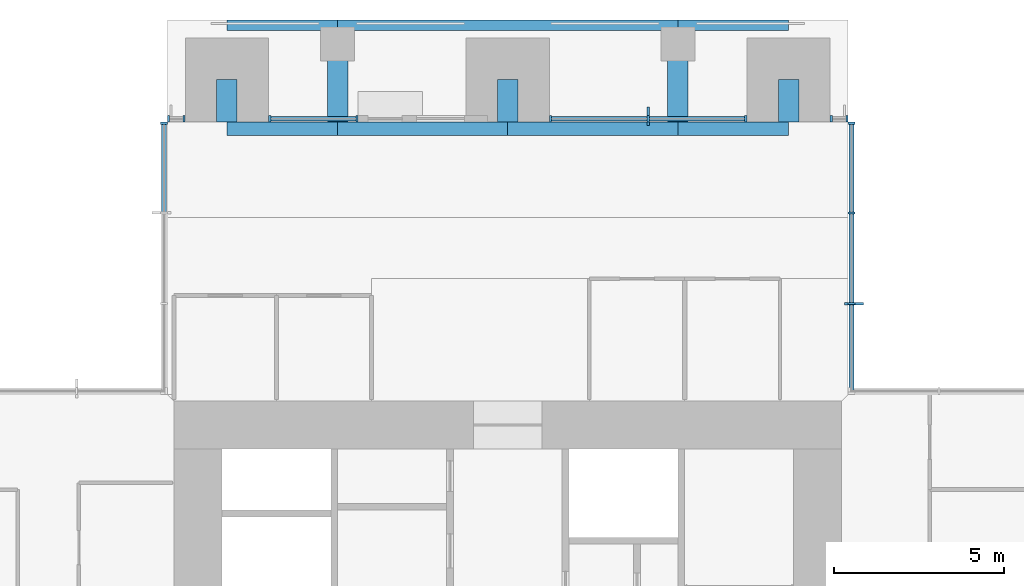
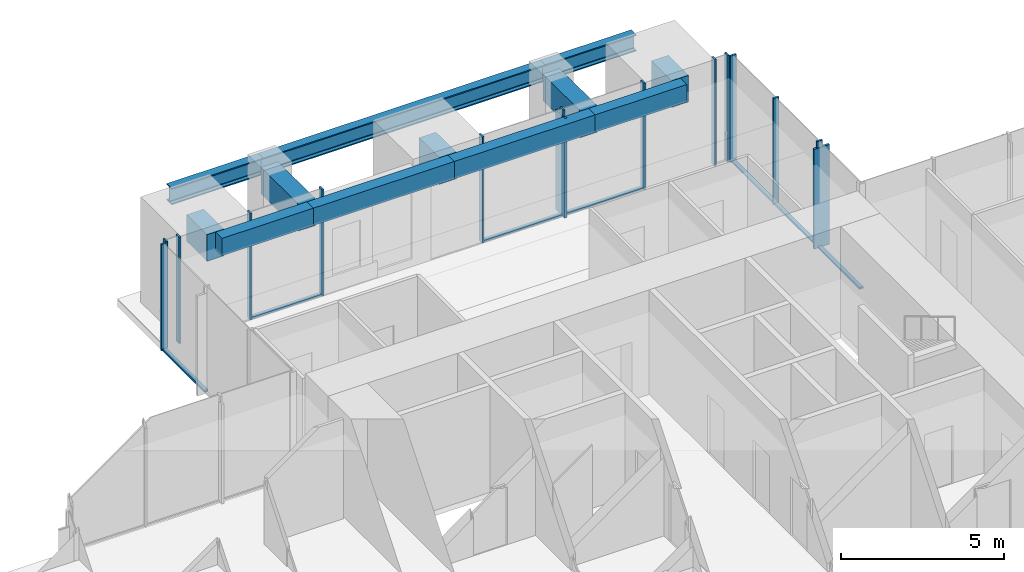
# One storey, part 5 of 17: 22 members, 12 beams, 6 elements without a shape of their own.
"""IFC4 building model written with IfcOpenShell, lengths in metres."""

from ifc_helpers import new_model, si_unit, direction, frame, origin, origin_2d, place, context, subcontext, project, spatial, rectangle, i_section, extrude, material, material_profile, profile_set, type_object, element, aggregate, save


model = new_model("IFC4")

# Units and contexts
model_context = context("Model", 3, precision=1e-05, world=origin(), true_north=direction((0.0, 1.0)))
body_context = subcontext(model_context, "Body", "Model", "MODEL_VIEW")
ifc_project = project(units=[si_unit("LENGTHUNIT", "METRE"), si_unit("AREAUNIT", "SQUARE_METRE"), si_unit("VOLUMEUNIT", "CUBIC_METRE"), si_unit("PLANEANGLEUNIT", "RADIAN"), si_unit("MASSUNIT", "GRAM", prefix="KILO")], contexts=[model_context])

# Site, building, storey
site_placement = place(None, origin())
site = spatial("IfcSite", under=ifc_project, at=site_placement, CompositionType="ELEMENT")
building_placement = place(site_placement, origin())
building = spatial("IfcBuilding", under=site, at=building_placement, Name="Svetlomir Tower", CompositionType="ELEMENT")
storey_placement = place(building_placement, frame((0.0, 0.0, 198.5)))
storey = spatial("IfcBuildingStorey", under=building, at=storey_placement, Name="L47", CompositionType="ELEMENT", Elevation=198.5)

# Curtain wall, member
ifc_material_1 = material(Name="Bronze anodised aluminium curtain wall", Category="aluminium")
curtain_wall_type = type_object("IfcCurtainWallType", Name="CURTAIN WALL CW1 TOWER OFFICE", PredefinedType="NOTDEFINED", material=ifc_material_1)
curtain_wall_1_placement = place(storey_placement, origin())
curtain_wall_1 = element("IfcCurtainWall", 1, at=curtain_wall_1_placement, inside=storey, type_object=curtain_wall_type, Name="Curtain wall CW1 L47", PredefinedType="NOTDEFINED")
ifc_material_2 = material(Name="Bronze anodised aluminium", Category="aluminium")
ifc_material_profile_1 = material_profile(ifc_material_2, rectangle(XDim=0.080078125, YDim=0.550048828125, at=origin_2d()), Name="FIN 80x550")
ifc_profile_set_1 = profile_set([ifc_material_profile_1], Name="Bronze anodised aluminium 6063-T6")
member_type_1 = type_object("IfcMemberType", Name="BRONZE FIN 80x550", PredefinedType="USERDEFINED", material=ifc_profile_set_1)
member_1_placement = place(storey_placement, frame((31.175048828125, 33.666748046875, 0.0), z_axis=(0.0, 0.0, 1.0), x_axis=(0.0, 1.0, 0.0)))
member_1 = element("IfcMember", 2, at=member_1_placement, type_object=member_type_1, Name="Bronze fin L47", ObjectType="FIN", PredefinedType="USERDEFINED", context=body_context, shape_type="SweptSolid", body=[
    extrude(rectangle(XDim=0.080078125, YDim=0.550048828125, at=origin_2d()), origin(), (0.0, 0.0, 1.0), 3.75),
])

curtain_wall_2_placement = place(storey_placement, origin())
curtain_wall_2 = element("IfcCurtainWall", 3, at=curtain_wall_2_placement, inside=storey, type_object=curtain_wall_type, Name="Curtain wall CW1 L47", PredefinedType="NOTDEFINED")
member_2_placement = place(storey_placement, frame((25.125, 39.175048828125, 0.0), z_axis=(0.0, 0.0, 1.0), x_axis=(1.0, 0.0, 0.0)))
member_2 = element("IfcMember", 4, at=member_2_placement, type_object=member_type_1, Name="Bronze fin L47", ObjectType="FIN", PredefinedType="USERDEFINED", context=body_context, shape_type="SweptSolid", body=[
    extrude(rectangle(XDim=0.080078125, YDim=0.550048828125, at=origin_2d()), origin(), (0.0, 0.0, 1.0), 3.75),
])

# Member
ifc_material_3 = material(Name="Bronze anodised aluminium", Category="aluminium")
ifc_material_profile_2 = material_profile(ifc_material_3, rectangle(XDim=0.06494140625, YDim=0.199951171875, at=origin_2d()), Name="AL 65x200")
ifc_profile_set_2 = profile_set([ifc_material_profile_2], Name="Bronze anodised aluminium 6063-T6")
member_type_2 = type_object("IfcMemberType", Name="CW1 MULLION 65x200", PredefinedType="MULLION", material=ifc_profile_set_2)
member_3_placement = place(storey_placement, frame((31.10009765625, 33.666748046875, 0.0), z_axis=(0.0, 0.0, 1.0), x_axis=(0.0, 1.0, 0.0)))
member_3 = element("IfcMember", 5, at=member_3_placement, type_object=member_type_2, Name="CW1 mullion 2", PredefinedType="MULLION", context=body_context, shape_type="SweptSolid", body=[
    extrude(rectangle(XDim=0.06494140625, YDim=0.199951171875, at=origin_2d()), origin(), (0.0, 0.0, 1.0), 4.0),
])

member_4_placement = place(storey_placement, frame((31.10009765625, 36.333251953125, 0.0), z_axis=(0.0, 0.0, 1.0), x_axis=(0.0, 1.0, 0.0)))
member_4 = element("IfcMember", 6, at=member_4_placement, type_object=member_type_2, Name="CW1 mullion 3", PredefinedType="MULLION", context=body_context, shape_type="SweptSolid", body=[
    extrude(rectangle(XDim=0.06494140625, YDim=0.199951171875, at=origin_2d()), origin(), (0.0, 0.0, 1.0), 4.0),
])

member_5_placement = place(storey_placement, frame((31.10009765625, 38.967529296875, 0.0), z_axis=(0.0, 0.0, 1.0), x_axis=(0.0, 1.0, 0.0)))
member_5 = element("IfcMember", 7, at=member_5_placement, type_object=member_type_2, Name="CW1 mullion 4", PredefinedType="MULLION", context=body_context, shape_type="SweptSolid", body=[
    extrude(rectangle(XDim=0.06494140625, YDim=0.199951171875, at=origin_2d()), origin(), (0.0, 0.0, 1.0), 4.0),
])

# Curtain wall, members
curtain_wall_3_placement = place(storey_placement, origin())
curtain_wall_3 = element("IfcCurtainWall", 8, at=curtain_wall_3_placement, inside=storey, type_object=curtain_wall_type, Name="Curtain wall CW1 L47", PredefinedType="NOTDEFINED")
member_6_placement = place(storey_placement, frame((30.967529296875, 39.10009765625, 0.0), z_axis=(0.0, 0.0, 1.0), x_axis=(-1.0, 0.0, 0.0)))
member_6 = element("IfcMember", 9, at=member_6_placement, type_object=member_type_2, Name="CW1 mullion 1", PredefinedType="MULLION", context=body_context, shape_type="SweptSolid", body=[
    extrude(rectangle(XDim=0.06494140625, YDim=0.199951171875, at=origin_2d()), origin(), (0.0, 0.0, 1.0), 4.0),
])
member_7_placement = place(storey_placement, frame((30.507568359375, 39.10009765625, 0.0), z_axis=(0.0, 0.0, 1.0), x_axis=(-1.0, 0.0, 0.0)))
member_7 = element("IfcMember", 10, at=member_7_placement, type_object=member_type_2, Name="CW1 mullion 2", PredefinedType="MULLION", context=body_context, shape_type="SweptSolid", body=[
    extrude(rectangle(XDim=0.06494140625, YDim=0.199951171875, at=origin_2d()), origin(), (0.0, 0.0, 1.0), 4.0),
])
aggregate(curtain_wall_3, [member_6, member_7])

# Member
member_8_placement = place(storey_placement, frame((27.992431640625, 39.10009765625, 0.0), z_axis=(0.0, 0.0, 1.0), x_axis=(-1.0, 0.0, 0.0)))
member_8 = element("IfcMember", 11, at=member_8_placement, type_object=member_type_2, Name="CW1 mullion 1", PredefinedType="MULLION", context=body_context, shape_type="SweptSolid", body=[
    extrude(rectangle(XDim=0.06494140625, YDim=0.199951171875, at=origin_2d()), origin(), (0.0, 0.0, 1.0), 4.0),
])

member_9_placement = place(storey_placement, frame((25.125, 39.10009765625, 0.0), z_axis=(0.0, 0.0, 1.0), x_axis=(-1.0, 0.0, 0.0)))
member_9 = element("IfcMember", 12, at=member_9_placement, type_object=member_type_2, Name="CW1 mullion 2", PredefinedType="MULLION", context=body_context, shape_type="SweptSolid", body=[
    extrude(rectangle(XDim=0.06494140625, YDim=0.199951171875, at=origin_2d()), origin(), (0.0, 0.0, 1.0), 4.0),
])

member_10_placement = place(storey_placement, frame((22.257568359375, 39.10009765625, 0.0), z_axis=(0.0, 0.0, 1.0), x_axis=(-1.0, 0.0, 0.0)))
member_10 = element("IfcMember", 13, at=member_10_placement, type_object=member_type_2, Name="CW1 mullion 3", PredefinedType="MULLION", context=body_context, shape_type="SweptSolid", body=[
    extrude(rectangle(XDim=0.06494140625, YDim=0.199951171875, at=origin_2d()), origin(), (0.0, 0.0, 1.0), 4.0),
])

# Curtain wall, members
curtain_wall_4_placement = place(storey_placement, origin())
curtain_wall_4 = element("IfcCurtainWall", 14, at=curtain_wall_4_placement, inside=storey, type_object=curtain_wall_type, Name="Curtain wall CW1 L47", PredefinedType="NOTDEFINED")
member_11_placement = place(storey_placement, frame((16.5673828125, 39.10009765625, 0.0), z_axis=(0.0, 0.0, 1.0), x_axis=(-1.0, 0.0, 0.0)))
member_11 = element("IfcMember", 15, at=member_11_placement, type_object=member_type_2, Name="CW1 mullion 1", PredefinedType="MULLION", context=body_context, shape_type="SweptSolid", body=[
    extrude(rectangle(XDim=0.06494140625, YDim=0.199951171875, at=origin_2d()), origin(), (0.0, 0.0, 1.0), 4.0),
])
member_12_placement = place(storey_placement, frame((14.007568359375, 39.10009765625, 0.0), z_axis=(0.0, 0.0, 1.0), x_axis=(-1.0, 0.0, 0.0)))
member_12 = element("IfcMember", 16, at=member_12_placement, type_object=member_type_2, Name="CW1 mullion 2", PredefinedType="MULLION", context=body_context, shape_type="SweptSolid", body=[
    extrude(rectangle(XDim=0.06494140625, YDim=0.199951171875, at=origin_2d()), origin(), (0.0, 0.0, 1.0), 4.0),
])

curtain_wall_5_placement = place(storey_placement, origin())
curtain_wall_5 = element("IfcCurtainWall", 17, at=curtain_wall_5_placement, inside=storey, type_object=curtain_wall_type, Name="Curtain wall CW1 L47", PredefinedType="NOTDEFINED")
member_13_placement = place(storey_placement, frame((11.492431640625, 39.10009765625, 0.0), z_axis=(0.0, 0.0, 1.0), x_axis=(-1.0, 0.0, 0.0)))
member_13 = element("IfcMember", 18, at=member_13_placement, type_object=member_type_2, Name="CW1 mullion 1", PredefinedType="MULLION", context=body_context, shape_type="SweptSolid", body=[
    extrude(rectangle(XDim=0.06494140625, YDim=0.199951171875, at=origin_2d()), origin(), (0.0, 0.0, 1.0), 4.0),
])
member_14_placement = place(storey_placement, frame((11.032470703125, 39.10009765625, 0.0), z_axis=(0.0, 0.0, 1.0), x_axis=(-1.0, 0.0, 0.0)))
member_14 = element("IfcMember", 19, at=member_14_placement, type_object=member_type_2, Name="CW1 mullion 2", PredefinedType="MULLION", context=body_context, shape_type="SweptSolid", body=[
    extrude(rectangle(XDim=0.06494140625, YDim=0.199951171875, at=origin_2d()), origin(), (0.0, 0.0, 1.0), 4.0),
])
aggregate(curtain_wall_5, [member_13, member_14])

# Curtain wall, member
curtain_wall_6_placement = place(storey_placement, origin())
curtain_wall_6 = element("IfcCurtainWall", 20, at=curtain_wall_6_placement, inside=storey, type_object=curtain_wall_type, Name="Curtain wall CW1 L47", PredefinedType="NOTDEFINED")
member_15_placement = place(storey_placement, frame((10.89990234375, 38.967529296875, 0.0), z_axis=(0.0, 0.0, 1.0), x_axis=(0.0, -1.0, 0.0)))
member_15 = element("IfcMember", 21, at=member_15_placement, type_object=member_type_2, Name="CW1 mullion 1", PredefinedType="MULLION", context=body_context, shape_type="SweptSolid", body=[
    extrude(rectangle(XDim=0.06494140625, YDim=0.199951171875, at=origin_2d()), origin(), (0.0, 0.0, 1.0), 4.0),
])

# Member
ifc_material_4 = material(Name="Bronze anodised aluminium", Category="aluminium")
ifc_material_profile_3 = material_profile(ifc_material_4, rectangle(XDim=0.139892578125, YDim=0.06494140625, at=origin_2d()), Name="AL 140x65")
ifc_profile_set_3 = profile_set([ifc_material_profile_3], Name="Bronze anodised aluminium 6063-T6")
member_type_3 = type_object("IfcMemberType", Name="CW1 TRANSOM 65x140", PredefinedType="USERDEFINED", material=ifc_profile_set_3)
member_16_placement = place(storey_placement, frame((31.10009765625, 31.06494140625, 0.032470703125), z_axis=(0.0, 1.0, 0.0), x_axis=(-1.0, 0.0, 0.0)))
member_16 = element("IfcMember", 22, at=member_16_placement, type_object=member_type_3, Name="CW1 transom 1.1", ObjectType="TRANSOM", PredefinedType="USERDEFINED", context=body_context, shape_type="SweptSolid", body=[
    extrude(rectangle(XDim=0.139892578125, YDim=0.06494140625, at=origin_2d()), origin(), (0.0, 0.0, 1.0), 2.5693359375),
])

member_17_placement = place(storey_placement, frame((31.10009765625, 33.69921875, 0.032470703125), z_axis=(0.0, 1.0, 0.0), x_axis=(-1.0, 0.0, 0.0)))
member_17 = element("IfcMember", 23, at=member_17_placement, type_object=member_type_3, Name="CW1 transom 2.1", ObjectType="TRANSOM", PredefinedType="USERDEFINED", context=body_context, shape_type="SweptSolid", body=[
    extrude(rectangle(XDim=0.139892578125, YDim=0.06494140625, at=origin_2d()), origin(), (0.0, 0.0, 1.0), 2.6015625),
])

member_18_placement = place(storey_placement, frame((31.10009765625, 36.36572265625, 0.032470703125), z_axis=(0.0, 1.0, 0.0), x_axis=(-1.0, 0.0, 0.0)))
member_18 = element("IfcMember", 24, at=member_18_placement, type_object=member_type_3, Name="CW1 transom 3.1", ObjectType="TRANSOM", PredefinedType="USERDEFINED", context=body_context, shape_type="SweptSolid", body=[
    extrude(rectangle(XDim=0.139892578125, YDim=0.06494140625, at=origin_2d()), origin(), (0.0, 0.0, 1.0), 2.5693359375),
])

aggregate(curtain_wall_1, [member_3, member_4, member_5, member_16, member_17, member_18, member_1])

member_19_placement = place(storey_placement, frame((27.9599609375, 39.10009765625, 0.032470703125), z_axis=(-1.0, 0.0, 0.0), x_axis=(0.0, -1.0, 0.0)))
member_19 = element("IfcMember", 25, at=member_19_placement, type_object=member_type_3, Name="CW1 transom 1.1", ObjectType="TRANSOM", PredefinedType="USERDEFINED", context=body_context, shape_type="SweptSolid", body=[
    extrude(rectangle(XDim=0.139892578125, YDim=0.06494140625, at=origin_2d()), origin(), (0.0, 0.0, 1.0), 2.802490234375),
])

member_20_placement = place(storey_placement, frame((25.092529296875, 39.10009765625, 0.032470703125), z_axis=(-1.0, 0.0, 0.0), x_axis=(0.0, -1.0, 0.0)))
member_20 = element("IfcMember", 26, at=member_20_placement, type_object=member_type_3, Name="CW1 transom 2.1", ObjectType="TRANSOM", PredefinedType="USERDEFINED", context=body_context, shape_type="SweptSolid", body=[
    extrude(rectangle(XDim=0.139892578125, YDim=0.06494140625, at=origin_2d()), origin(), (0.0, 0.0, 1.0), 2.802490234375),
])

aggregate(curtain_wall_2, [member_8, member_9, member_10, member_19, member_20, member_2])

member_21_placement = place(storey_placement, frame((16.534912109375, 39.10009765625, 0.032470703125), z_axis=(-1.0, 0.0, 0.0), x_axis=(0.0, -1.0, 0.0)))
member_21 = element("IfcMember", 27, at=member_21_placement, type_object=member_type_3, Name="CW1 transom 1.1", ObjectType="TRANSOM", PredefinedType="USERDEFINED", context=body_context, shape_type="SweptSolid", body=[
    extrude(rectangle(XDim=0.139892578125, YDim=0.06494140625, at=origin_2d()), origin(), (0.0, 0.0, 1.0), 2.494873046875),
])

aggregate(curtain_wall_4, [member_11, member_12, member_21])

member_22_placement = place(storey_placement, frame((10.89990234375, 38.93505859375, 0.032470703125), z_axis=(0.0, -1.0, 0.0), x_axis=(1.0, 0.0, 0.0)))
member_22 = element("IfcMember", 28, at=member_22_placement, type_object=member_type_3, Name="CW1 transom 1.1", ObjectType="TRANSOM", PredefinedType="USERDEFINED", context=body_context, shape_type="SweptSolid", body=[
    extrude(rectangle(XDim=0.139892578125, YDim=0.06494140625, at=origin_2d()), origin(), (0.0, 0.0, 1.0), 2.5693359375),
])

aggregate(curtain_wall_6, [member_15, member_22])

# Beams
ifc_material_5 = material(Name="Steel S355", Category="steel")
ifc_material_profile_4 = material_profile(ifc_material_5, i_section(OverallWidth=0.304931640625, OverallDepth=0.6201171875, WebThickness=0.02099609375, FlangeThickness=0.0400390625, FilletRadius=0.027099609375, at=origin_2d()), Name="HEM 600")
ifc_profile_set_4 = profile_set([ifc_material_profile_4], Name="Steel S355")
beam_type_1 = type_object("IfcBeamType", Name="EDGE BEAM HEM 600", PredefinedType="SPANDREL", material=ifc_profile_set_4)
beam_1_placement = place(storey_placement, frame((12.75, 41.847412109375, 3.43994140625), z_axis=(1.0, 0.0, 0.0), x_axis=(0.0, 1.0, 0.0)))
element("IfcBeam", 29, at=beam_1_placement, inside=storey, type_object=beam_type_1, Name="Edge beam 11/42 to 16/42 under L48", PredefinedType="SPANDREL", context=body_context, shape_type="SweptSolid", body=[
    extrude(i_section(OverallWidth=0.304931640625, OverallDepth=0.6201171875, WebThickness=0.02099609375, FlangeThickness=0.0400390625, FilletRadius=0.027099609375, at=origin_2d()), origin(), (0.0, 0.0, 1.0), 3.25),
])
beam_2_placement = place(storey_placement, frame((16.0, 41.847412109375, 3.43994140625), z_axis=(1.0, 0.0, 0.0), x_axis=(0.0, 1.0, 0.0)))
element("IfcBeam", 30, at=beam_2_placement, inside=storey, type_object=beam_type_1, Name="Edge beam 16/42 to 26/42 under L48", PredefinedType="SPANDREL", context=body_context, shape_type="SweptSolid", body=[
    extrude(i_section(OverallWidth=0.304931640625, OverallDepth=0.6201171875, WebThickness=0.02099609375, FlangeThickness=0.0400390625, FilletRadius=0.027099609375, at=origin_2d()), origin(), (0.0, 0.0, 1.0), 10.0),
])
beam_3_placement = place(storey_placement, frame((26.0, 41.847412109375, 3.43994140625), z_axis=(1.0, 0.0, 0.0), x_axis=(0.0, 1.0, 0.0)))
element("IfcBeam", 31, at=beam_3_placement, inside=storey, type_object=beam_type_1, Name="Edge beam 26/42 to 31/42 under L48", PredefinedType="SPANDREL", context=body_context, shape_type="SweptSolid", body=[
    extrude(i_section(OverallWidth=0.304931640625, OverallDepth=0.6201171875, WebThickness=0.02099609375, FlangeThickness=0.0400390625, FilletRadius=0.027099609375, at=origin_2d()), origin(), (0.0, 0.0, 1.0), 3.25),
])
ifc_material_6 = material(Name="Concrete C60/75", Category="concrete")
ifc_material_profile_5 = material_profile(ifc_material_6, rectangle(XDim=0.39990234375, YDim=0.64990234375, at=origin_2d()), Name="RC 400x650")
ifc_profile_set_5 = profile_set([ifc_material_profile_5], Name="Concrete C60/75")
beam_type_2 = type_object("IfcBeamType", Name="FACADE EDGE BEAM RC 400x650", PredefinedType="BEAM", material=ifc_profile_set_5)
beam_4_placement = place(storey_placement, frame((12.75, 38.800048828125, 3.425048828125), z_axis=(1.0, 0.0, 0.0), x_axis=(0.0, 1.0, 0.0)))
element("IfcBeam", 32, at=beam_4_placement, inside=storey, type_object=beam_type_2, Name="Facade edge beam N 11 to 16 under L48", PredefinedType="BEAM", context=body_context, shape_type="SweptSolid", body=[
    extrude(rectangle(XDim=0.39990234375, YDim=0.64990234375, at=origin_2d()), origin(), (0.0, 0.0, 1.0), 3.25),
])
for number, where, z_axis, x_axis, name in (
    (33, (16.0, 38.800048828125, 3.425048828125), (1.0, 0.0, 0.0), (0.0, 1.0, 0.0), "Facade edge beam N 16 to 21 under L48"),
    (34, (21.0, 38.800048828125, 3.425048828125), (1.0, 0.0, 0.0), (0.0, 1.0, 0.0), "Facade edge beam N 21 to 26 under L48"),
):
    element("IfcBeam", number, at=place(storey_placement, frame(where, z_axis=z_axis, x_axis=x_axis)), inside=storey, type_object=beam_type_2, Name=name, PredefinedType="BEAM", context=body_context, shape_type="SweptSolid", body=[
        extrude(rectangle(XDim=0.39990234375, YDim=0.64990234375, at=origin_2d()), origin(), (0.0, 0.0, 1.0), 5.0),
    ])
beam_5_placement = place(storey_placement, frame((26.0, 38.800048828125, 3.425048828125), z_axis=(1.0, 0.0, 0.0), x_axis=(0.0, 1.0, 0.0)))
element("IfcBeam", 35, at=beam_5_placement, inside=storey, type_object=beam_type_2, Name="Facade edge beam N 26 to 31 under L48", PredefinedType="BEAM", context=body_context, shape_type="SweptSolid", body=[
    extrude(rectangle(XDim=0.39990234375, YDim=0.64990234375, at=origin_2d()), origin(), (0.0, 0.0, 1.0), 3.25),
])
ifc_material_7 = material(Name="Concrete C60/75", Category="concrete")
ifc_material_profile_6 = material_profile(ifc_material_7, rectangle(XDim=0.60009765625, YDim=1.0, at=origin_2d()), Name="RC 600x1000")
ifc_profile_set_6 = profile_set([ifc_material_profile_6], Name="Concrete C60/75")
beam_type_3 = type_object("IfcBeamType", Name="LOGGIA LINK BEAM RC 600x1000", PredefinedType="BEAM", material=ifc_profile_set_6)
beam_6_placement = place(storey_placement, frame((12.75, 40.25, 3.25), z_axis=(0.0, -1.0, 0.0), x_axis=(1.0, 0.0, 0.0)))
element("IfcBeam", 36, at=beam_6_placement, inside=storey, type_object=beam_type_3, Name="Loggia link beam N 11 under L48", PredefinedType="BEAM", context=body_context, shape_type="SweptSolid", body=[
    extrude(rectangle(XDim=0.60009765625, YDim=1.0, at=origin_2d()), origin(), (0.0, 0.0, 1.0), 1.25),
])
beam_7_placement = place(storey_placement, frame((16.0, 41.300048828125, 3.25), z_axis=(0.0, -1.0, 0.0), x_axis=(1.0, 0.0, 0.0)))
element("IfcBeam", 37, at=beam_7_placement, inside=storey, type_object=beam_type_3, Name="Loggia link beam N 16 under L48", PredefinedType="BEAM", context=body_context, shape_type="SweptSolid", body=[
    extrude(rectangle(XDim=0.60009765625, YDim=1.0, at=origin_2d()), origin(), (0.0, 0.0, 1.0), 2.300048828125),
])
beam_8_placement = place(storey_placement, frame((21.0, 40.25, 3.25), z_axis=(0.0, -1.0, 0.0), x_axis=(1.0, 0.0, 0.0)))
element("IfcBeam", 38, at=beam_8_placement, inside=storey, type_object=beam_type_3, Name="Loggia link beam N 21 under L48", PredefinedType="BEAM", context=body_context, shape_type="SweptSolid", body=[
    extrude(rectangle(XDim=0.60009765625, YDim=1.0, at=origin_2d()), origin(), (0.0, 0.0, 1.0), 1.25),
])
beam_9_placement = place(storey_placement, frame((26.0, 41.300048828125, 3.25), z_axis=(0.0, -1.0, 0.0), x_axis=(1.0, 0.0, 0.0)))
element("IfcBeam", 39, at=beam_9_placement, inside=storey, type_object=beam_type_3, Name="Loggia link beam N 26 under L48", PredefinedType="BEAM", context=body_context, shape_type="SweptSolid", body=[
    extrude(rectangle(XDim=0.60009765625, YDim=1.0, at=origin_2d()), origin(), (0.0, 0.0, 1.0), 2.300048828125),
])
beam_10_placement = place(storey_placement, frame((29.25, 40.25, 3.25), z_axis=(0.0, -1.0, 0.0), x_axis=(1.0, 0.0, 0.0)))
element("IfcBeam", 40, at=beam_10_placement, inside=storey, type_object=beam_type_3, Name="Loggia link beam N 31 under L48", PredefinedType="BEAM", context=body_context, shape_type="SweptSolid", body=[
    extrude(rectangle(XDim=0.60009765625, YDim=1.0, at=origin_2d()), origin(), (0.0, 0.0, 1.0), 1.25),
])

save(model, "model.ifc")
